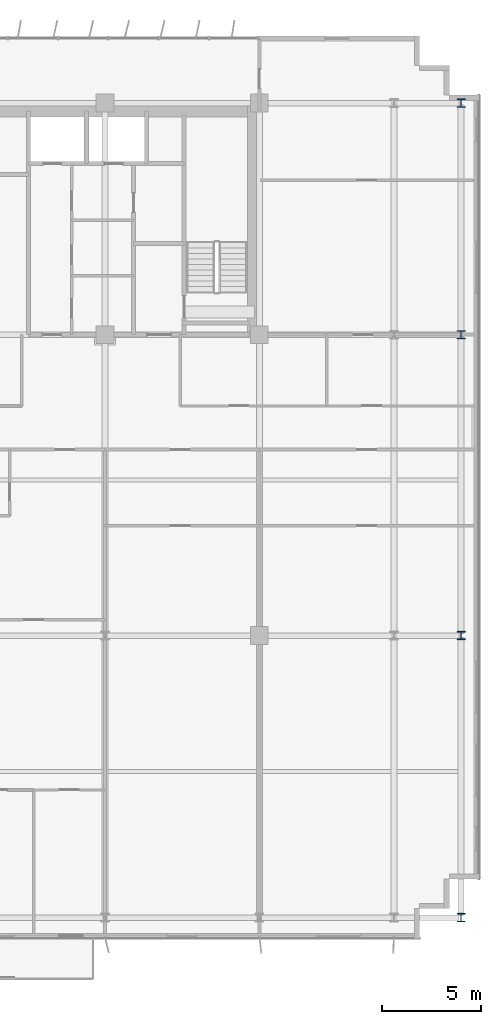
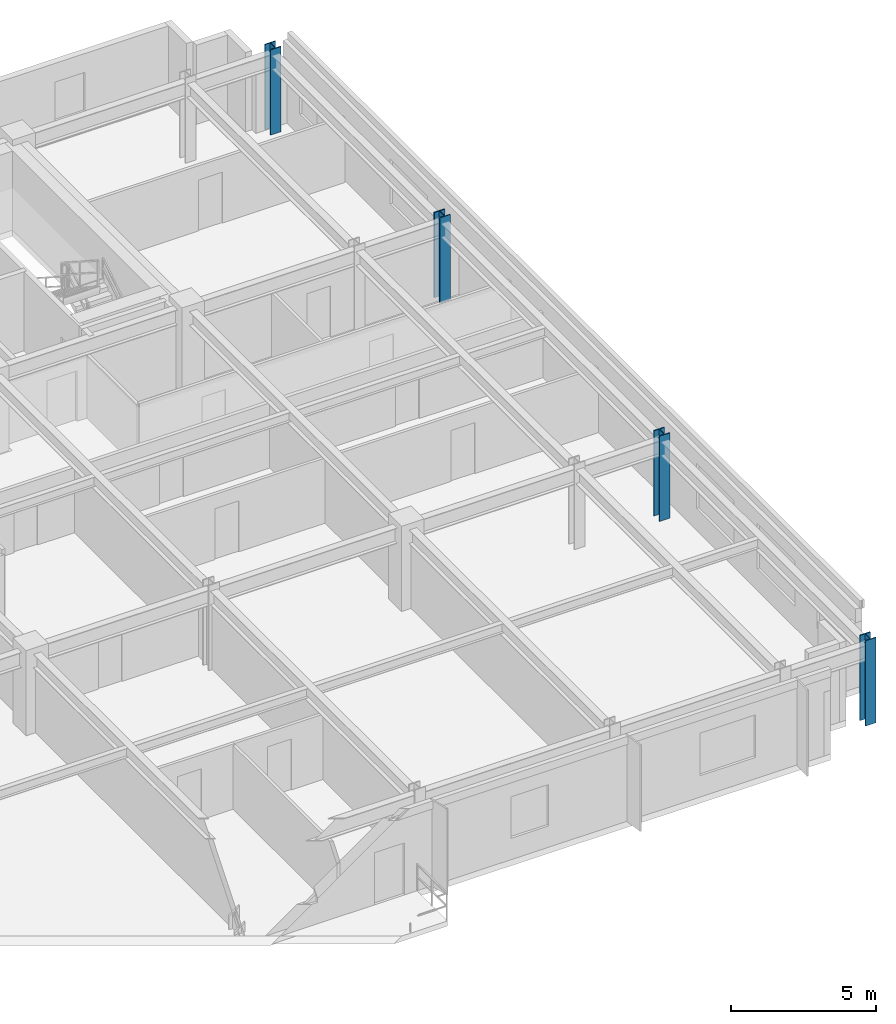
# One storey, part 3 of 23: 4 columns.
"""IFC4 building model written with IfcOpenShell, lengths in metres."""

from ifc_helpers import new_model, si_unit, direction, frame, origin, origin_2d, place, context, subcontext, project, spatial, i_section, extrude, source, transform, mapped, material, material_profile, profile_set, type_object, element, save


model = new_model("IFC4")

# Units and contexts
model_context = context("Model", 3, precision=1e-05, world=origin(), true_north=direction((0.0, 1.0)))
body_context = subcontext(model_context, "Body", "Model", "MODEL_VIEW")
ifc_project = project(units=[si_unit("LENGTHUNIT", "METRE"), si_unit("AREAUNIT", "SQUARE_METRE"), si_unit("VOLUMEUNIT", "CUBIC_METRE"), si_unit("PLANEANGLEUNIT", "RADIAN"), si_unit("MASSUNIT", "GRAM", prefix="KILO")], contexts=[model_context])

# Site, building, storey
site_placement = place(None, origin())
site = spatial("IfcSite", under=ifc_project, at=site_placement, CompositionType="ELEMENT")
building_placement = place(site_placement, origin())
building = spatial("IfcBuilding", under=site, at=building_placement, Name="Trelvane Seafront Commons", CompositionType="ELEMENT")
storey_placement = place(building_placement, frame((0.0, 0.0, 63.10009765625)))
storey = spatial("IfcBuildingStorey", under=building, at=storey_placement, Name="L16", CompositionType="ELEMENT", Elevation=63.10009765625)

# Columns
ifc_material = material(Name="Steel SM355 (S355)", Category="steel")
ifc_material_profile = material_profile(ifc_material, i_section(OverallWidth=0.419921875, OverallDepth=0.419921875, WebThickness=0.02587890625, FlangeThickness=0.0400390625, at=origin_2d()), Name="HD-420x420x26x40")
ifc_profile_set = profile_set([ifc_material_profile], Name="Steel SM355 (S355)")
column_type = type_object("IfcColumnType", Name="STR-COL-HD420", PredefinedType="COLUMN", material=ifc_profile_set)
shared_shape = source(origin(), body_context, "Body", "SweptSolid", [
    extrude(i_section(OverallWidth=0.419921875, OverallDepth=0.419921875, WebThickness=0.02587890625, FlangeThickness=0.0400390625, at=origin_2d()), origin(), (0.0, 0.0, 1.0), 3.599853515625),
])
for number, where, z_axis, x_axis, name in (
    (1, (69.0, 3.949951171875, 0.0), (0.0, 0.0, 1.0), (1.0, 0.0, 0.0), "L16 Column TC-S69.0"),
    (2, (69.0, 18.199951171875, 0.0), (0.0, 0.0, 1.0), (1.0, 0.0, 0.0), "L16 Column TC-M69.0"),
    (3, (69.0, 33.39990234375, 0.0), (0.0, 0.0, 1.0), (1.0, 0.0, 0.0), "L16 Column TC-CS69.0"),
    (4, (69.0, 45.10009765625, 0.0), (0.0, 0.0, 1.0), (1.0, 0.0, 0.0), "L16 Column TC-CN69.0"),
):
    element("IfcColumn", number, at=place(storey_placement, frame(where, z_axis=z_axis, x_axis=x_axis)), inside=storey, type_object=column_type, Name=name, PredefinedType="COLUMN", context=body_context, shape_type="MappedRepresentation", body=[
        mapped(shared_shape, transform((0.0, 0.0, 0.0), x_axis=(1.0, 0.0, 0.0), y_axis=(0.0, 1.0, 0.0), z_axis=(0.0, 0.0, 1.0), scale=1.0)),
    ])

save(model, "model.ifc")
